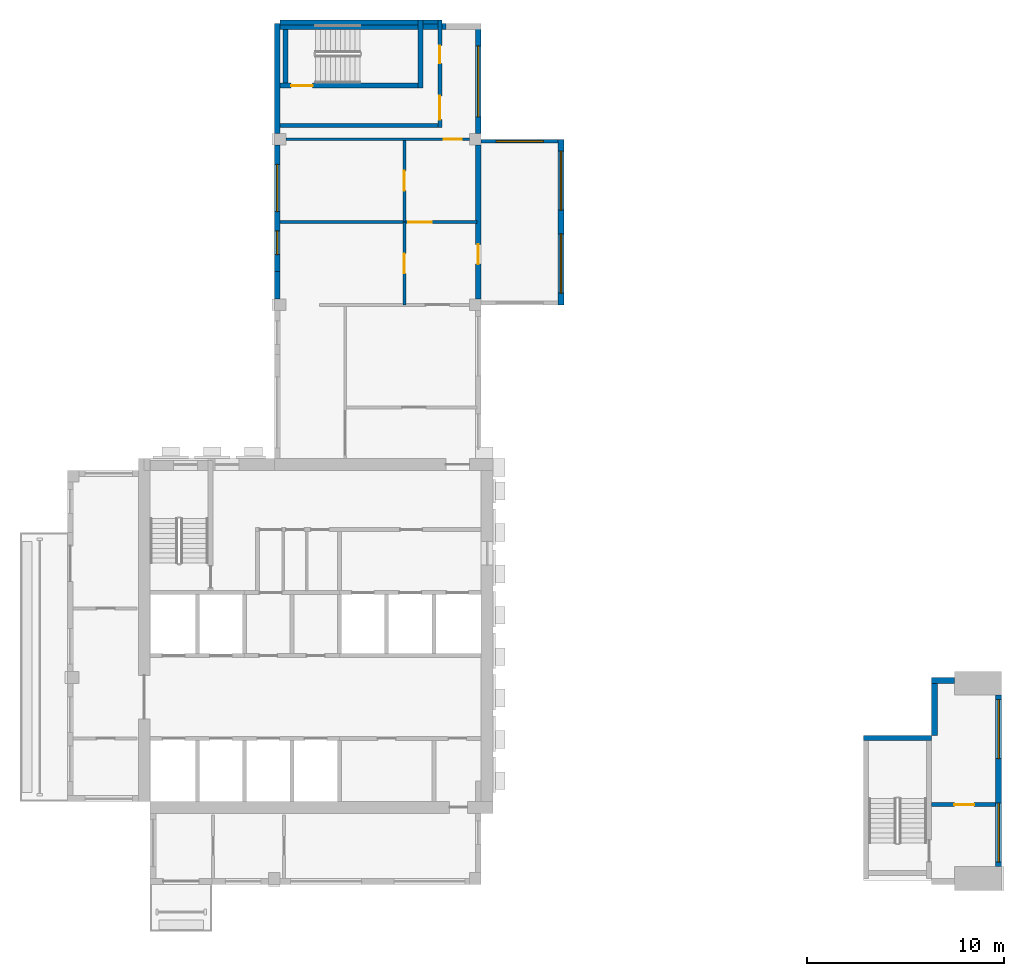
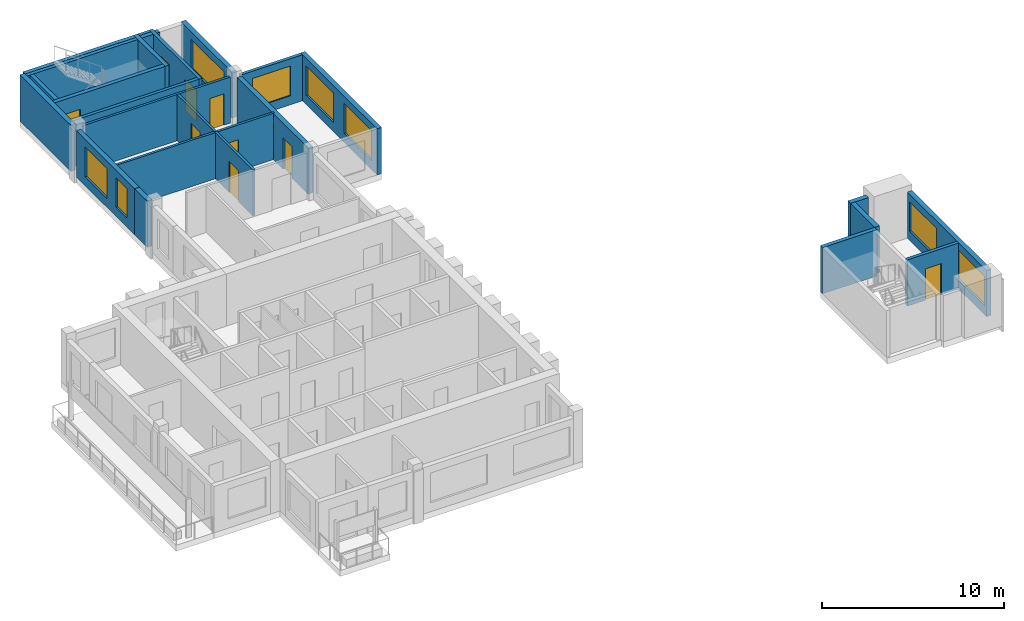
# One storey, part 4 of 9: 24 walls, 9 doors, 8 windows, 17 openings.
"""IFC4 building model written with IfcOpenShell, lengths in metres."""

from ifc_helpers import new_model, si_unit, direction, frame, frame_2d, origin, place, context, subcontext, project, spatial, rectangle, extrude, source, transform, mapped, material, layer, layer_set, type_object, element, fill, save


model = new_model("IFC4")

# Units and contexts
model_context = context("Model", 3, precision=1e-05, world=origin(), true_north=direction((0.0, 1.0)))
body_context = subcontext(model_context, "Body", "Model", "MODEL_VIEW")
ifc_project = project(units=[si_unit("LENGTHUNIT", "METRE"), si_unit("AREAUNIT", "SQUARE_METRE"), si_unit("VOLUMEUNIT", "CUBIC_METRE"), si_unit("PLANEANGLEUNIT", "RADIAN"), si_unit("MASSUNIT", "GRAM", prefix="KILO")], contexts=[model_context])

# Site, building, storey
site_placement = place(None, origin())
site = spatial("IfcSite", under=ifc_project, at=site_placement, CompositionType="ELEMENT")
building_placement = place(site_placement, origin())
building = spatial("IfcBuilding", under=site, at=building_placement, Name="Aurelian Terraces", CompositionType="ELEMENT")
storey_placement = place(building_placement, frame((0.0, 0.0, 340.5)))
storey = spatial("IfcBuildingStorey", under=building, at=storey_placement, Name="L80", CompositionType="ELEMENT", Elevation=340.5)

# Wall, opening, door
ifc_material_1 = material(Name="Gypsum board on steel studs", Category="steel")
ifc_layer_1 = layer(ifc_material_1, 0.2)
ifc_layer_set_1 = layer_set([ifc_layer_1], Name="Core partition 200")
wall_type_1 = type_object("IfcWallType", Name="Core partition 200", PredefinedType="PARTITIONING", material=ifc_layer_set_1)
wall_1_placement = place(storey_placement, frame((43.85, 4.05, 0.0), z_axis=(0.0, 0.0, 1.0), x_axis=(1.0, 0.0, 0.0)))
wall_1 = element("IfcWall", 1, at=wall_1_placement, inside=storey, type_object=wall_type_1, Name="L80 core wall ST-BLK-PY", PredefinedType="PARTITIONING", context=body_context, shape_type="SweptSolid", body=[
    extrude(rectangle(XDim=3.25, YDim=0.2, at=frame_2d((1.625, 0.0))), origin(), (0.0, 0.0, 1.0), 3.1),
])
shared_shape_1 = source(origin(), body_context, "Body", "SweptSolid", [
    extrude(rectangle(XDim=1.0, YDim=2.1, at=frame_2d((0.5, 1.05))), frame((0.0, 0.11, 0.0), z_axis=(0.0, -1.0, 0.0), x_axis=(1.0, 0.0, 0.0)), (0.0, 0.0, 1.0), 0.22),
])
opening_1_placement = place(wall_1_placement, frame((1.15, 0.0, 0.0)))
opening_1 = element("IfcOpeningElement", 2, at=opening_1_placement, cuts=wall_1, Name="Opening 68323", PredefinedType="OPENING", context=body_context, shape_type="MappedRepresentation", body=[
    mapped(shared_shape_1, transform((0.0, 0.0, 0.0), scale=1.0)),
])
ifc_material_2 = material(Name="Steel door leaf", Category="steel")
door_type_1 = type_object("IfcDoorType", Name="Core service door 1000x2100", OperationType="SINGLE_SWING_LEFT", PredefinedType="DOOR", material=ifc_material_2)
shared_shape_2 = source(origin(), body_context, "Body", "SweptSolid", [
    extrude(rectangle(XDim=1.0, YDim=2.1, at=frame_2d((0.5, 1.05))), frame((0.0, 0.025, 0.0), z_axis=(0.0, -1.0, 0.0), x_axis=(1.0, 0.0, 0.0)), (0.0, 0.0, 1.0), 0.05),
])
door_1_placement = place(opening_1_placement, origin())
door_1 = element("IfcDoor", 3, at=door_1_placement, inside=storey, type_object=door_type_1, Name="Room door 68323", OperationType="SINGLE_SWING_LEFT", OverallHeight=2.1, OverallWidth=1.0, PredefinedType="DOOR", context=body_context, shape_type="MappedRepresentation", body=[
    mapped(shared_shape_2, transform((0.0, 0.0, 0.0), scale=1.0)),
])
fill(opening_1, door_1)

# Wall, openings, windows
ifc_material_3 = material(Name="Terracotta rainscreen cladding", Category="masonry")
ifc_layer_2 = layer(ifc_material_3, 0.3)
ifc_layer_set_2 = layer_set([ifc_layer_2], Name="EW-300")
wall_type_2 = type_object("IfcWallType", Name="EW-300", PredefinedType="STANDARD", material=ifc_layer_set_2)
wall_2_placement = place(storey_placement, frame((10.65, 37.5, 0.0), z_axis=(0.0, 0.0, 1.0), x_axis=(0.0, -1.0, 0.0)))
wall_2 = element("IfcWall", 4, at=wall_2_placement, inside=storey, type_object=wall_type_2, Name="External wall L80 F04.11", PredefinedType="STANDARD", context=body_context, shape_type="SweptSolid", body=[
    extrude(rectangle(XDim=6.42, YDim=0.3, at=frame_2d((3.21, 0.0))), origin(), (0.0, 0.0, 1.0), 3.1),
])
shared_shape_3 = source(origin(), body_context, "Body", "SweptSolid", [
    extrude(rectangle(XDim=1.2, YDim=2.0, at=frame_2d((0.6, 1.0))), frame((0.0, 0.16, 0.0), z_axis=(0.0, -1.0, 0.0), x_axis=(1.0, 0.0, 0.0)), (0.0, 0.0, 1.0), 0.32),
])
opening_2_placement = place(wall_2_placement, frame((4.3475, 0.0, 0.6)))
opening_2 = element("IfcOpeningElement", 5, at=opening_2_placement, cuts=wall_2, Name="Opening W1220", PredefinedType="OPENING", context=body_context, shape_type="MappedRepresentation", body=[
    mapped(shared_shape_3, transform((0.0, 0.0, 0.0), scale=1.0)),
])
shared_shape_4 = source(origin(), body_context, "Body", "SweptSolid", [
    extrude(rectangle(XDim=2.4, YDim=2.0, at=frame_2d((1.2, 1.0))), frame((0.0, 0.16, 0.0), z_axis=(0.0, -1.0, 0.0), x_axis=(1.0, 0.0, 0.0)), (0.0, 0.0, 1.0), 0.32),
])
opening_3_placement = place(wall_2_placement, frame((0.9737, 0.0, 0.6)))
opening_3 = element("IfcOpeningElement", 6, at=opening_3_placement, cuts=wall_2, Name="Opening W2420", PredefinedType="OPENING", context=body_context, shape_type="MappedRepresentation", body=[
    mapped(shared_shape_4, transform((0.0, 0.0, 0.0), scale=1.0)),
])
ifc_material_4 = material(Name="Clear glazing", Category="glass")
window_type_1 = type_object("IfcWindowType", Name="W-1200x2000", PartitioningType="SINGLE_PANEL", PredefinedType="WINDOW", material=ifc_material_4)
shared_shape_5 = source(origin(), body_context, "Body", "SweptSolid", [
    extrude(rectangle(XDim=1.2, YDim=2.0, at=frame_2d((0.6, 1.0))), frame((0.0, 0.03, 0.0), z_axis=(0.0, -1.0, 0.0), x_axis=(1.0, 0.0, 0.0)), (0.0, 0.0, 1.0), 0.06),
])
window_1_placement = place(opening_2_placement, origin())
window_1 = element("IfcWindow", 7, at=window_1_placement, inside=storey, type_object=window_type_1, Name="Window L80 L80-F04-11-2", OverallHeight=2.0, OverallWidth=1.2, PartitioningType="SINGLE_PANEL", PredefinedType="WINDOW", context=body_context, shape_type="MappedRepresentation", body=[
    mapped(shared_shape_5, transform((0.0, 0.0, 0.0), scale=1.0)),
])
fill(opening_2, window_1)
window_type_2 = type_object("IfcWindowType", Name="W-2400x2000", PartitioningType="SINGLE_PANEL", PredefinedType="WINDOW", material=ifc_material_4)
shared_shape_6 = source(origin(), body_context, "Body", "SweptSolid", [
    extrude(rectangle(XDim=2.4, YDim=2.0, at=frame_2d((1.2, 1.0))), frame((0.0, 0.03, 0.0), z_axis=(0.0, -1.0, 0.0), x_axis=(1.0, 0.0, 0.0)), (0.0, 0.0, 1.0), 0.06),
])
window_2_placement = place(opening_3_placement, origin())
window_2 = element("IfcWindow", 8, at=window_2_placement, inside=storey, type_object=window_type_2, Name="Window L80 L80-F04-11-G1-62", OverallHeight=2.0, OverallWidth=2.4, PartitioningType="SINGLE_PANEL", PredefinedType="WINDOW", context=body_context, shape_type="MappedRepresentation", body=[
    mapped(shared_shape_6, transform((0.0, 0.0, 0.0), scale=1.0)),
])
fill(opening_3, window_2)

# Wall
wall_3_placement = place(storey_placement, frame((10.65, 31.08, 0.0), z_axis=(0.0, 0.0, 1.0), x_axis=(0.0, -1.0, 0.0)))
element("IfcWall", 9, at=wall_3_placement, inside=storey, type_object=wall_type_2, Name="External wall L80 F04.12", PredefinedType="STANDARD", context=body_context, shape_type="SweptSolid", body=[
    extrude(rectangle(XDim=1.38, YDim=0.3, at=frame_2d((0.69, 0.0))), origin(), (0.0, 0.0, 1.0), 3.1),
])

# Wall, opening, window
ifc_material_5 = material(Name="Concrete fc' 40 MPa", Category="concrete")
ifc_layer_3 = layer(ifc_material_5, 0.2)
ifc_layer_set_3 = layer_set([ifc_layer_3], Name="BOX BEARING WALL 200")
wall_type_3 = type_object("IfcWallType", Name="BOX BEARING WALL 200", PredefinedType="SOLIDWALL", material=ifc_layer_set_3)
shared_shape_7 = source(origin(), body_context, "Body", "SweptSolid", [
    extrude(rectangle(XDim=3.9, YDim=0.2, at=frame_2d((1.95, 0.0))), origin(), (0.0, 0.0, 1.0), 3.09),
])
wall_4_placement = place(storey_placement, frame((21.0, 37.7, 0.0), z_axis=(0.0, 0.0, 1.0), x_axis=(1.0, 0.0, 0.0)))
wall_4 = element("IfcWall", 10, at=wall_4_placement, inside=storey, type_object=wall_type_3, Name="Box return L80 J94.2", PredefinedType="SOLIDWALL", context=body_context, shape_type="MappedRepresentation", body=[
    mapped(shared_shape_7, transform((0.0, 0.0, 0.0), scale=1.0)),
])
shared_shape_8 = source(origin(), body_context, "Body", "SweptSolid", [
    extrude(rectangle(XDim=2.4, YDim=2.0, at=frame_2d((1.2, 1.0))), frame((0.0, 0.11, 0.0), z_axis=(0.0, -1.0, 0.0), x_axis=(1.0, 0.0, 0.0)), (0.0, 0.0, 1.0), 0.22),
])
opening_4_placement = place(wall_4_placement, frame((0.75, 0.0, 0.6)))
opening_4 = element("IfcOpeningElement", 11, at=opening_4_placement, cuts=wall_4, Name="Opening W2420", PredefinedType="OPENING", context=body_context, shape_type="MappedRepresentation", body=[
    mapped(shared_shape_8, transform((0.0, 0.0, 0.0), scale=1.0)),
])
window_3_placement = place(opening_4_placement, origin())
window_3 = element("IfcWindow", 12, at=window_3_placement, inside=storey, type_object=window_type_2, Name="Window L80 J94-S2", OverallHeight=2.0, OverallWidth=2.4, PartitioningType="SINGLE_PANEL", PredefinedType="WINDOW", context=body_context, shape_type="MappedRepresentation", body=[
    mapped(shared_shape_6, transform((0.0, 0.0, 0.0), scale=1.0)),
])
fill(opening_4, window_3)

# Wall
ifc_layer_4 = layer(ifc_material_5, 0.3)
ifc_layer_set_4 = layer_set([ifc_layer_4], Name="STAIR BAY WALL 300")
wall_type_4 = type_object("IfcWallType", Name="STAIR BAY WALL 300", PredefinedType="SOLIDWALL", material=ifc_layer_set_4)
shared_shape_9 = source(origin(), body_context, "Body", "SweptSolid", [
    extrude(rectangle(XDim=8.6, YDim=0.3, at=frame_2d((4.3, 0.0))), origin(), (0.0, 0.0, 1.0), 3.1),
])
wall_5_placement = place(storey_placement, frame((19.2, 43.53, 0.0), z_axis=(0.0, 0.0, 1.0), x_axis=(-1.0, 0.0, 0.0)))
element("IfcWall", 13, at=wall_5_placement, inside=storey, type_object=wall_type_4, Name="Stair bay wall L80 F03.10", PredefinedType="SOLIDWALL", context=body_context, shape_type="MappedRepresentation", body=[
    mapped(shared_shape_9, transform((0.0, 0.0, 0.0), scale=1.0)),
])

# Wall, opening, door
shared_shape_10 = source(origin(), body_context, "Body", "SweptSolid", [
    extrude(rectangle(XDim=7.8, YDim=0.3, at=frame_2d((3.9, 0.0))), origin(), (0.0, 0.0, 1.0), 3.1),
])
wall_6_placement = place(storey_placement, frame((20.85, 29.7, 0.0), z_axis=(0.0, 0.0, 1.0), x_axis=(0.0, 1.0, 0.0)))
wall_6 = element("IfcWall", 14, at=wall_6_placement, inside=storey, type_object=wall_type_2, Name="External wall L80 F02.8", PredefinedType="STANDARD", context=body_context, shape_type="MappedRepresentation", body=[
    mapped(shared_shape_10, transform((0.0, 0.0, 0.0), scale=1.0)),
])
shared_shape_11 = source(origin(), body_context, "Body", "SweptSolid", [
    extrude(rectangle(XDim=1.0, YDim=2.1, at=frame_2d((0.5, 1.05))), frame((0.0, 0.16, 0.0), z_axis=(0.0, -1.0, 0.0), x_axis=(1.0, 0.0, 0.0)), (0.0, 0.0, 1.0), 0.32),
])
opening_5_placement = place(wall_6_placement, frame((1.7667, 0.0, 0.0)))
opening_5 = element("IfcOpeningElement", 15, at=opening_5_placement, cuts=wall_6, Name="Opening 880001", PredefinedType="OPENING", context=body_context, shape_type="MappedRepresentation", body=[
    mapped(shared_shape_11, transform((0.0, 0.0, 0.0), scale=1.0)),
])
ifc_material_6 = material(Name="Timber door leaf", Category="wood")
door_type_2 = type_object("IfcDoorType", Name="Room door 1000x2100 left", OperationType="SINGLE_SWING_LEFT", PredefinedType="DOOR", material=ifc_material_6)
door_2_placement = place(opening_5_placement, origin())
door_2 = element("IfcDoor", 16, at=door_2_placement, inside=storey, type_object=door_type_2, Name="Door 880001", OperationType="SINGLE_SWING_LEFT", OverallHeight=2.1, OverallWidth=1.0, PredefinedType="DOOR", context=body_context, shape_type="MappedRepresentation", body=[
    mapped(shared_shape_2, transform((0.0, 0.0, 0.0), scale=1.0)),
])
fill(opening_5, door_2)

# Wall, opening, window
shared_shape_12 = source(origin(), body_context, "Body", "SweptSolid", [
    extrude(rectangle(XDim=5.58, YDim=0.3, at=frame_2d((2.79, 0.0))), origin(), (0.0, 0.0, 1.0), 3.1),
])
wall_7_placement = place(storey_placement, frame((20.85, 38.1, 0.0), z_axis=(0.0, 0.0, 1.0), x_axis=(0.0, 1.0, 0.0)))
wall_7 = element("IfcWall", 17, at=wall_7_placement, inside=storey, type_object=wall_type_2, Name="External wall L80 F02.9", PredefinedType="STANDARD", context=body_context, shape_type="MappedRepresentation", body=[
    mapped(shared_shape_12, transform((0.0, 0.0, 0.0), scale=1.0)),
])
shared_shape_13 = source(origin(), body_context, "Body", "SweptSolid", [
    extrude(rectangle(XDim=3.6, YDim=2.0, at=frame_2d((1.8, 1.0))), frame((0.0, 0.16, 0.0), z_axis=(0.0, -1.0, 0.0), x_axis=(1.0, 0.0, 0.0)), (0.0, 0.0, 1.0), 0.32),
])
opening_6_placement = place(wall_7_placement, frame((0.84, 0.0, 0.6)))
opening_6 = element("IfcOpeningElement", 18, at=opening_6_placement, cuts=wall_7, Name="Opening W3620", PredefinedType="OPENING", context=body_context, shape_type="MappedRepresentation", body=[
    mapped(shared_shape_13, transform((0.0, 0.0, 0.0), scale=1.0)),
])
window_type_3 = type_object("IfcWindowType", Name="W-3600x2000", PartitioningType="SINGLE_PANEL", PredefinedType="WINDOW", material=ifc_material_4)
shared_shape_14 = source(origin(), body_context, "Body", "SweptSolid", [
    extrude(rectangle(XDim=3.6, YDim=2.0, at=frame_2d((1.8, 1.0))), frame((0.0, 0.03, 0.0), z_axis=(0.0, -1.0, 0.0), x_axis=(1.0, 0.0, 0.0)), (0.0, 0.0, 1.0), 0.06),
])
window_4_placement = place(opening_6_placement, origin())
window_4 = element("IfcWindow", 19, at=window_4_placement, inside=storey, type_object=window_type_3, Name="Window L80 L80-F02-09-0", OverallHeight=2.0, OverallWidth=3.6, PartitioningType="SINGLE_PANEL", PredefinedType="WINDOW", context=body_context, shape_type="MappedRepresentation", body=[
    mapped(shared_shape_14, transform((0.0, 0.0, 0.0), scale=1.0)),
])
fill(opening_6, window_4)

# Wall
shared_shape_15 = source(origin(), body_context, "Body", "SweptSolid", [
    extrude(rectangle(XDim=5.58, YDim=0.3, at=frame_2d((2.79, 0.0))), origin(), (0.0, 0.0, 1.0), 3.1),
])
wall_8_placement = place(storey_placement, frame((10.65, 43.68, 0.0), z_axis=(0.0, 0.0, 1.0), x_axis=(0.0, -1.0, 0.0)))
element("IfcWall", 20, at=wall_8_placement, inside=storey, type_object=wall_type_4, Name="Stair bay wall L80 F04.11", PredefinedType="SOLIDWALL", context=body_context, shape_type="MappedRepresentation", body=[
    mapped(shared_shape_15, transform((0.0, 0.0, 0.0), scale=1.0)),
])

# Wall, openings, windows
ifc_layer_5 = layer(ifc_material_5, 0.3)
ifc_layer_set_5 = layer_set([ifc_layer_5], Name="BOX BEARING WALL 300")
wall_type_5 = type_object("IfcWallType", Name="BOX BEARING WALL 300", PredefinedType="SOLIDWALL", material=ifc_layer_set_5)
shared_shape_16 = source(origin(), body_context, "Body", "SweptSolid", [
    extrude(rectangle(XDim=8.4, YDim=0.3, at=frame_2d((4.2, 0.0))), origin(), (0.0, 0.0, 1.0), 3.09),
])
wall_9_placement = place(storey_placement, frame((25.05, 29.4, 0.0), z_axis=(0.0, 0.0, 1.0), x_axis=(0.0, 1.0, 0.0)))
wall_9 = element("IfcWall", 21, at=wall_9_placement, inside=storey, type_object=wall_type_5, Name="Box wall L80 J94", PredefinedType="SOLIDWALL", context=body_context, shape_type="MappedRepresentation", body=[
    mapped(shared_shape_16, transform((0.0, 0.0, 0.0), scale=1.0)),
])
shared_shape_17 = source(origin(), body_context, "Body", "SweptSolid", [
    extrude(rectangle(XDim=3.0, YDim=2.0, at=frame_2d((1.5, 1.0))), frame((0.0, 0.16, 0.0), z_axis=(0.0, -1.0, 0.0), x_axis=(1.0, 0.0, 0.0)), (0.0, 0.0, 1.0), 0.32),
])
opening_7_placement = place(wall_9_placement, frame((0.6, 0.0, 0.6)))
opening_7 = element("IfcOpeningElement", 22, at=opening_7_placement, cuts=wall_9, Name="Opening W3020", PredefinedType="OPENING", context=body_context, shape_type="MappedRepresentation", body=[
    mapped(shared_shape_17, transform((0.0, 0.0, 0.0), scale=1.0)),
])
opening_8_placement = place(wall_9_placement, frame((4.8, 0.0, 0.6)))
opening_8 = element("IfcOpeningElement", 23, at=opening_8_placement, cuts=wall_9, Name="Opening W3020", PredefinedType="OPENING", context=body_context, shape_type="MappedRepresentation", body=[
    mapped(shared_shape_17, transform((0.0, 0.0, 0.0), scale=1.0)),
])
window_type_4 = type_object("IfcWindowType", Name="W-3000x2000", PartitioningType="SINGLE_PANEL", PredefinedType="WINDOW", material=ifc_material_4)
shared_shape_18 = source(origin(), body_context, "Body", "SweptSolid", [
    extrude(rectangle(XDim=3.0, YDim=2.0, at=frame_2d((1.5, 1.0))), frame((0.0, 0.03, 0.0), z_axis=(0.0, -1.0, 0.0), x_axis=(1.0, 0.0, 0.0)), (0.0, 0.0, 1.0), 0.06),
])
window_5_placement = place(opening_7_placement, origin())
window_5 = element("IfcWindow", 24, at=window_5_placement, inside=storey, type_object=window_type_4, Name="Window L80 J94-F1", OverallHeight=2.0, OverallWidth=3.0, PartitioningType="SINGLE_PANEL", PredefinedType="WINDOW", context=body_context, shape_type="MappedRepresentation", body=[
    mapped(shared_shape_18, transform((0.0, 0.0, 0.0), scale=1.0)),
])
fill(opening_7, window_5)
window_6_placement = place(opening_8_placement, origin())
window_6 = element("IfcWindow", 25, at=window_6_placement, inside=storey, type_object=window_type_4, Name="Window L80 J94-F2", OverallHeight=2.0, OverallWidth=3.0, PartitioningType="SINGLE_PANEL", PredefinedType="WINDOW", context=body_context, shape_type="MappedRepresentation", body=[
    mapped(shared_shape_18, transform((0.0, 0.0, 0.0), scale=1.0)),
])
fill(opening_8, window_6)

shared_shape_19 = source(origin(), body_context, "Body", "SweptSolid", [
    extrude(rectangle(XDim=8.7, YDim=0.3, at=frame_2d((4.35, 0.0))), origin(), (0.0, 0.0, 1.0), 3.1),
])
wall_10_placement = place(storey_placement, frame((47.25, 0.9, 0.0), z_axis=(0.0, 0.0, 1.0), x_axis=(0.0, 1.0, 0.0)))
wall_10 = element("IfcWall", 26, at=wall_10_placement, inside=storey, type_object=wall_type_2, Name="External wall L80 F14.25", PredefinedType="STANDARD", context=body_context, shape_type="MappedRepresentation", body=[
    mapped(shared_shape_19, transform((0.0, 0.0, 0.0), scale=1.0)),
])
opening_9_placement = place(wall_10_placement, frame((0.225, 0.0, 0.6)))
opening_9 = element("IfcOpeningElement", 27, at=opening_9_placement, cuts=wall_10, Name="Opening W3020", PredefinedType="OPENING", context=body_context, shape_type="MappedRepresentation", body=[
    mapped(shared_shape_17, transform((0.0, 0.0, 0.0), scale=1.0)),
])
opening_10_placement = place(wall_10_placement, frame((5.475, 0.0, 0.6)))
opening_10 = element("IfcOpeningElement", 28, at=opening_10_placement, cuts=wall_10, Name="Opening W3020", PredefinedType="OPENING", context=body_context, shape_type="MappedRepresentation", body=[
    mapped(shared_shape_17, transform((0.0, 0.0, 0.0), scale=1.0)),
])
window_7_placement = place(opening_9_placement, origin())
window_7 = element("IfcWindow", 29, at=window_7_placement, inside=storey, type_object=window_type_4, Name="Window L80 L80-F14-25-0", OverallHeight=2.0, OverallWidth=3.0, PartitioningType="SINGLE_PANEL", PredefinedType="WINDOW", context=body_context, shape_type="MappedRepresentation", body=[
    mapped(shared_shape_18, transform((0.0, 0.0, 0.0), scale=1.0)),
])
fill(opening_9, window_7)
window_8_placement = place(opening_10_placement, origin())
window_8 = element("IfcWindow", 30, at=window_8_placement, inside=storey, type_object=window_type_4, Name="Window L80 L80-F14-25-1", OverallHeight=2.0, OverallWidth=3.0, PartitioningType="SINGLE_PANEL", PredefinedType="WINDOW", context=body_context, shape_type="MappedRepresentation", body=[
    mapped(shared_shape_18, transform((0.0, 0.0, 0.0), scale=1.0)),
])
fill(opening_10, window_8)

# Walls
shared_shape_20 = source(origin(), body_context, "Body", "SweptSolid", [
    extrude(rectangle(XDim=1.15, YDim=0.3, at=frame_2d((0.575, 0.0))), origin(), (0.0, 0.0, 1.0), 3.1),
])
wall_11_placement = place(storey_placement, frame((45.0, 10.35, 0.0), z_axis=(0.0, 0.0, 1.0), x_axis=(-1.0, 0.0, 0.0)))
element("IfcWall", 31, at=wall_11_placement, inside=storey, type_object=wall_type_2, Name="External wall L80 F15.26", PredefinedType="STANDARD", context=body_context, shape_type="MappedRepresentation", body=[
    mapped(shared_shape_20, transform((0.0, 0.0, 0.0), scale=1.0)),
])
shared_shape_21 = source(origin(), body_context, "Body", "SweptSolid", [
    extrude(rectangle(XDim=2.95, YDim=0.3, at=frame_2d((1.475, 0.0))), origin(), (0.0, 0.0, 1.0), 3.1),
])
wall_12_placement = place(storey_placement, frame((44.0, 10.5, 0.0), z_axis=(0.0, 0.0, 1.0), x_axis=(0.0, -1.0, 0.0)))
element("IfcWall", 32, at=wall_12_placement, inside=storey, type_object=wall_type_2, Name="External wall L80 F16.27", PredefinedType="STANDARD", context=body_context, shape_type="MappedRepresentation", body=[
    mapped(shared_shape_21, transform((0.0, 0.0, 0.0), scale=1.0)),
])

# Wall, opening, door
ifc_layer_6 = layer(ifc_material_5, 0.25)
ifc_layer_set_6 = layer_set([ifc_layer_6], Name="Stair enclosure wall 250")
wall_type_6 = type_object("IfcWallType", Name="Stair enclosure wall 250", PredefinedType="SOLIDWALL", material=ifc_layer_set_6)
shared_shape_22 = source(origin(), body_context, "Body", "SweptSolid", [
    extrude(rectangle(XDim=7.0, YDim=0.25, at=frame_2d((3.5, 0.0))), origin(), (0.0, 0.0, 1.0), 3.1),
])
wall_13_placement = place(storey_placement, frame((10.8, 40.525, 0.0), z_axis=(0.0, 0.0, 1.0), x_axis=(1.0, 0.0, 0.0)))
wall_13 = element("IfcWall", 33, at=wall_13_placement, inside=storey, type_object=wall_type_6, Name="L80 core wall ST-S3U-W", PredefinedType="SOLIDWALL", context=body_context, shape_type="MappedRepresentation", body=[
    mapped(shared_shape_22, transform((0.0, 0.0, 0.0), scale=1.0)),
])
shared_shape_23 = source(origin(), body_context, "Body", "SweptSolid", [
    extrude(rectangle(XDim=1.1, YDim=2.1, at=frame_2d((0.55, 1.05))), frame((0.0, 0.135, 0.0), z_axis=(0.0, -1.0, 0.0), x_axis=(1.0, 0.0, 0.0)), (0.0, 0.0, 1.0), 0.27),
])
opening_11_placement = place(wall_13_placement, frame((0.55, 0.0, 0.0)))
opening_11 = element("IfcOpeningElement", 34, at=opening_11_placement, cuts=wall_13, Name="Opening 68320", PredefinedType="OPENING", context=body_context, shape_type="MappedRepresentation", body=[
    mapped(shared_shape_23, transform((0.0, 0.0, 0.0), scale=1.0)),
])
door_type_3 = type_object("IfcDoorType", Name="Core fire door 1100x2100 right", OperationType="SINGLE_SWING_RIGHT", PredefinedType="DOOR", material=ifc_material_2)
shared_shape_24 = source(origin(), body_context, "Body", "SweptSolid", [
    extrude(rectangle(XDim=1.1, YDim=2.1, at=frame_2d((0.55, 1.05))), frame((0.0, 0.025, 0.0), z_axis=(0.0, -1.0, 0.0), x_axis=(1.0, 0.0, 0.0)), (0.0, 0.0, 1.0), 0.05),
])
door_3_placement = place(opening_11_placement, origin())
door_3 = element("IfcDoor", 35, at=door_3_placement, inside=storey, type_object=door_type_3, Name="Stair door 68320", OperationType="SINGLE_SWING_RIGHT", OverallHeight=2.1, OverallWidth=1.1, PredefinedType="DOOR", context=body_context, shape_type="MappedRepresentation", body=[
    mapped(shared_shape_24, transform((0.0, 0.0, 0.0), scale=1.0)),
])
fill(opening_11, door_3)

# Walls
wall_14_placement = place(storey_placement, frame((10.8, 43.725, 0.0), z_axis=(0.0, 0.0, 1.0), x_axis=(1.0, 0.0, 0.0)))
element("IfcWall", 36, at=wall_14_placement, inside=storey, type_object=wall_type_6, Name="L80 core wall ST-S3U-E", PredefinedType="SOLIDWALL", context=body_context, shape_type="MappedRepresentation", body=[
    mapped(shared_shape_22, transform((0.0, 0.0, 0.0), scale=1.0)),
])
shared_shape_25 = source(origin(), body_context, "Body", "SweptSolid", [
    extrude(rectangle(XDim=3.45, YDim=0.25, at=frame_2d((1.725, 0.0))), origin(), (0.0, 0.0, 1.0), 3.1),
])
for number, where, z_axis, x_axis, name in (
    (37, (40.4, 7.425, 0.0), (0.0, 0.0, 1.0), (1.0, 0.0, 0.0), "L80 core wall ST-S2-N"),
    (38, (17.925, 40.4, 0.0), (0.0, 0.0, 1.0), (0.0, 1.0, 0.0), "L80 core wall ST-S3U-N"),
):
    element("IfcWall", number, at=place(storey_placement, frame(where, z_axis=z_axis, x_axis=x_axis)), inside=storey, type_object=wall_type_6, Name=name, PredefinedType="SOLIDWALL", context=body_context, shape_type="MappedRepresentation", body=[
        mapped(shared_shape_25, transform((0.0, 0.0, 0.0), scale=1.0)),
    ])
shared_shape_26 = source(origin(), body_context, "Body", "SweptSolid", [
    extrude(rectangle(XDim=8.0, YDim=0.2, at=frame_2d((4.0, 0.0))), origin(), (0.0, 0.0, 1.0), 3.1),
])
wall_15_placement = place(storey_placement, frame((10.8, 38.5, 0.0), z_axis=(0.0, 0.0, 1.0), x_axis=(1.0, 0.0, 0.0)))
element("IfcWall", 39, at=wall_15_placement, inside=storey, type_object=wall_type_1, Name="L80 core wall ST-S3U-VW", PredefinedType="PARTITIONING", context=body_context, shape_type="MappedRepresentation", body=[
    mapped(shared_shape_26, transform((0.0, 0.0, 0.0), scale=1.0)),
])

# Wall, openings, doors
shared_shape_27 = source(origin(), body_context, "Body", "SweptSolid", [
    extrude(rectangle(XDim=5.45, YDim=0.2, at=frame_2d((2.725, 0.0))), origin(), (0.0, 0.0, 1.0), 3.1),
])
wall_16_placement = place(storey_placement, frame((18.9, 38.4, 0.0), z_axis=(0.0, 0.0, 1.0), x_axis=(0.0, 1.0, 0.0)))
wall_16 = element("IfcWall", 40, at=wall_16_placement, inside=storey, type_object=wall_type_1, Name="L80 core wall ST-S3U-BN", PredefinedType="PARTITIONING", context=body_context, shape_type="MappedRepresentation", body=[
    mapped(shared_shape_27, transform((0.0, 0.0, 0.0), scale=1.0)),
])
shared_shape_28 = source(origin(), body_context, "Body", "SweptSolid", [
    extrude(rectangle(XDim=1.2, YDim=2.1, at=frame_2d((0.6, 1.05))), frame((0.0, 0.11, 0.0), z_axis=(0.0, -1.0, 0.0), x_axis=(1.0, 0.0, 0.0)), (0.0, 0.0, 1.0), 0.22),
])
opening_12_placement = place(wall_16_placement, frame((0.4, 0.0, 0.0)))
opening_12 = element("IfcOpeningElement", 41, at=opening_12_placement, cuts=wall_16, Name="Opening 68321", PredefinedType="OPENING", context=body_context, shape_type="MappedRepresentation", body=[
    mapped(shared_shape_28, transform((0.0, 0.0, 0.0), scale=1.0)),
])
shared_shape_29 = source(origin(), body_context, "Body", "SweptSolid", [
    extrude(rectangle(XDim=0.9, YDim=2.1, at=frame_2d((0.45, 1.05))), frame((0.0, 0.11, 0.0), z_axis=(0.0, -1.0, 0.0), x_axis=(1.0, 0.0, 0.0)), (0.0, 0.0, 1.0), 0.22),
])
opening_13_placement = place(wall_16_placement, frame((3.25, 0.0, 0.0)))
opening_13 = element("IfcOpeningElement", 42, at=opening_13_placement, cuts=wall_16, Name="Opening 68322", PredefinedType="OPENING", context=body_context, shape_type="MappedRepresentation", body=[
    mapped(shared_shape_29, transform((0.0, 0.0, 0.0), scale=1.0)),
])
door_type_4 = type_object("IfcDoorType", Name="Core riser door 900x2100 right", OperationType="SINGLE_SWING_RIGHT", PredefinedType="DOOR", material=ifc_material_2)
shared_shape_30 = source(origin(), body_context, "Body", "SweptSolid", [
    extrude(rectangle(XDim=0.9, YDim=2.1, at=frame_2d((0.45, 1.05))), frame((0.0, 0.025, 0.0), z_axis=(0.0, -1.0, 0.0), x_axis=(1.0, 0.0, 0.0)), (0.0, 0.0, 1.0), 0.05),
])
door_4_placement = place(opening_13_placement, origin())
door_4 = element("IfcDoor", 43, at=door_4_placement, inside=storey, type_object=door_type_4, Name="Riser door 68322", OperationType="SINGLE_SWING_RIGHT", OverallHeight=2.1, OverallWidth=0.9, PredefinedType="DOOR", context=body_context, shape_type="MappedRepresentation", body=[
    mapped(shared_shape_30, transform((0.0, 0.0, 0.0), scale=1.0)),
])
fill(opening_13, door_4)
door_type_5 = type_object("IfcDoorType", Name="Core fire door 1200x2100", OperationType="SINGLE_SWING_LEFT", PredefinedType="DOOR", material=ifc_material_2)
shared_shape_31 = source(origin(), body_context, "Body", "SweptSolid", [
    extrude(rectangle(XDim=1.2, YDim=2.1, at=frame_2d((0.6, 1.05))), frame((0.0, 0.025, 0.0), z_axis=(0.0, -1.0, 0.0), x_axis=(1.0, 0.0, 0.0)), (0.0, 0.0, 1.0), 0.05),
])
door_5_placement = place(opening_12_placement, origin())
door_5 = element("IfcDoor", 44, at=door_5_placement, inside=storey, type_object=door_type_5, Name="Vestibule door 68321", OperationType="SINGLE_SWING_LEFT", OverallHeight=2.1, OverallWidth=1.2, PredefinedType="DOOR", context=body_context, shape_type="MappedRepresentation", body=[
    mapped(shared_shape_31, transform((0.0, 0.0, 0.0), scale=1.0)),
])
fill(opening_12, door_5)

# Walls
shared_shape_32 = source(origin(), body_context, "Body", "SweptSolid", [
    extrude(rectangle(XDim=0.75, YDim=0.2, at=frame_2d((0.375, 0.0))), origin(), (0.0, 0.0, 1.0), 3.1),
])
wall_17_placement = place(storey_placement, frame((18.05, 43.75, 0.0), z_axis=(0.0, 0.0, 1.0), x_axis=(1.0, 0.0, 0.0)))
element("IfcWall", 45, at=wall_17_placement, inside=storey, type_object=wall_type_1, Name="L80 core wall ST-S3U-RE", PredefinedType="PARTITIONING", context=body_context, shape_type="MappedRepresentation", body=[
    mapped(shared_shape_32, transform((0.0, 0.0, 0.0), scale=1.0)),
])
shared_shape_33 = source(origin(), body_context, "Body", "SweptSolid", [
    extrude(rectangle(XDim=2.73, YDim=0.25, at=frame_2d((1.365, 0.0))), origin(), (0.0, 0.0, 1.0), 3.1),
])
wall_18_placement = place(storey_placement, frame((11.075, 40.65, 0.0), z_axis=(0.0, 0.0, 1.0), x_axis=(0.0, 1.0, 0.0)))
element("IfcWall", 46, at=wall_18_placement, inside=storey, type_object=wall_type_6, Name="L80 core wall ST-S3U-SS", PredefinedType="SOLIDWALL", context=body_context, shape_type="MappedRepresentation", body=[
    mapped(shared_shape_33, transform((0.0, 0.0, 0.0), scale=1.0)),
])

# Wall, opening, door
ifc_layer_7 = layer(ifc_material_1, 0.15)
ifc_layer_set_7 = layer_set([ifc_layer_7], Name="Partition 150")
wall_type_7 = type_object("IfcWallType", Name="Partition 150", PredefinedType="PARTITIONING", material=ifc_layer_set_7)
shared_shape_34 = source(origin(), body_context, "Body", "SweptSolid", [
    extrude(rectangle(XDim=9.302, YDim=0.15, at=frame_2d((4.651, 0.0))), origin(), (0.0, 0.0, 1.0), 3.1),
])
wall_19_placement = place(storey_placement, frame((20.401, 37.8, 0.0), z_axis=(0.0, 0.0, 1.0), x_axis=(-1.0, 0.0, 0.0)))
wall_19 = element("IfcWall", 47, at=wall_19_placement, inside=storey, type_object=wall_type_7, Name="Partition", PredefinedType="PARTITIONING", context=body_context, shape_type="MappedRepresentation", body=[
    mapped(shared_shape_34, transform((0.0, 0.0, 0.0), scale=1.0)),
])
shared_shape_35 = source(origin(), body_context, "Body", "SweptSolid", [
    extrude(rectangle(XDim=0.9, YDim=2.1, at=frame_2d((0.45, 1.05))), frame((0.0, 0.085, 0.0), z_axis=(0.0, -1.0, 0.0), x_axis=(1.0, 0.0, 0.0)), (0.0, 0.0, 1.0), 0.17),
])
opening_14_placement = place(wall_19_placement, frame((0.401, 0.0, 0.0)))
opening_14 = element("IfcOpeningElement", 48, at=opening_14_placement, cuts=wall_19, Name="Opening 780011", PredefinedType="OPENING", context=body_context, shape_type="MappedRepresentation", body=[
    mapped(shared_shape_35, transform((0.0, 0.0, 0.0), scale=1.0)),
])
door_type_6 = type_object("IfcDoorType", Name="Room door 900x2100 left", OperationType="SINGLE_SWING_LEFT", PredefinedType="DOOR", material=ifc_material_6)
door_6_placement = place(opening_14_placement, origin())
door_6 = element("IfcDoor", 49, at=door_6_placement, inside=storey, type_object=door_type_6, Name="Door 780011", OperationType="SINGLE_SWING_LEFT", OverallHeight=2.1, OverallWidth=0.9, PredefinedType="DOOR", context=body_context, shape_type="MappedRepresentation", body=[
    mapped(shared_shape_30, transform((0.0, 0.0, 0.0), scale=1.0)),
])
fill(opening_14, door_6)

shared_shape_36 = source(origin(), body_context, "Body", "SweptSolid", [
    extrude(rectangle(XDim=4.2, YDim=0.15, at=frame_2d((2.1, 0.0))), origin(), (0.0, 0.0, 1.0), 3.1),
])
wall_20_placement = place(storey_placement, frame((17.1, 33.6, 0.0), z_axis=(0.0, 0.0, 1.0), x_axis=(0.0, -1.0, 0.0)))
wall_20 = element("IfcWall", 50, at=wall_20_placement, inside=storey, type_object=wall_type_7, Name="Partition", PredefinedType="PARTITIONING", context=body_context, shape_type="MappedRepresentation", body=[
    mapped(shared_shape_36, transform((0.0, 0.0, 0.0), scale=1.0)),
])
shared_shape_37 = source(origin(), body_context, "Body", "SweptSolid", [
    extrude(rectangle(XDim=1.0, YDim=2.1, at=frame_2d((0.5, 1.05))), frame((0.0, 0.085, 0.0), z_axis=(0.0, -1.0, 0.0), x_axis=(1.0, 0.0, 0.0)), (0.0, 0.0, 1.0), 0.17),
])
opening_15_placement = place(wall_20_placement, frame((1.6, 0.0, 0.0)))
opening_15 = element("IfcOpeningElement", 51, at=opening_15_placement, cuts=wall_20, Name="Opening 780006", PredefinedType="OPENING", context=body_context, shape_type="MappedRepresentation", body=[
    mapped(shared_shape_37, transform((0.0, 0.0, 0.0), scale=1.0)),
])
door_7_placement = place(opening_15_placement, origin())
door_7 = element("IfcDoor", 52, at=door_7_placement, inside=storey, type_object=door_type_2, Name="Door 780006", OperationType="SINGLE_SWING_LEFT", OverallHeight=2.1, OverallWidth=1.0, PredefinedType="DOOR", context=body_context, shape_type="MappedRepresentation", body=[
    mapped(shared_shape_2, transform((0.0, 0.0, 0.0), scale=1.0)),
])
fill(opening_15, door_7)

shared_shape_38 = source(origin(), body_context, "Body", "SweptSolid", [
    extrude(rectangle(XDim=4.105, YDim=0.15, at=frame_2d((2.0525, 0.0))), origin(), (0.0, 0.0, 1.0), 3.1),
])
wall_21_placement = place(storey_placement, frame((17.1, 37.725, 0.0), z_axis=(0.0, 0.0, 1.0), x_axis=(0.0, -1.0, 0.0)))
wall_21 = element("IfcWall", 53, at=wall_21_placement, inside=storey, type_object=wall_type_7, Name="Partition", PredefinedType="PARTITIONING", context=body_context, shape_type="MappedRepresentation", body=[
    mapped(shared_shape_38, transform((0.0, 0.0, 0.0), scale=1.0)),
])
opening_16_placement = place(wall_21_placement, frame((1.525, 0.0, 0.0)))
opening_16 = element("IfcOpeningElement", 54, at=opening_16_placement, cuts=wall_21, Name="Opening 780007", PredefinedType="OPENING", context=body_context, shape_type="MappedRepresentation", body=[
    mapped(shared_shape_37, transform((0.0, 0.0, 0.0), scale=1.0)),
])
door_type_7 = type_object("IfcDoorType", Name="Room door 1000x2100 right", OperationType="SINGLE_SWING_RIGHT", PredefinedType="DOOR", material=ifc_material_6)
door_8_placement = place(opening_16_placement, origin())
door_8 = element("IfcDoor", 55, at=door_8_placement, inside=storey, type_object=door_type_7, Name="Door 780007", OperationType="SINGLE_SWING_RIGHT", OverallHeight=2.1, OverallWidth=1.0, PredefinedType="DOOR", context=body_context, shape_type="MappedRepresentation", body=[
    mapped(shared_shape_2, transform((0.0, 0.0, 0.0), scale=1.0)),
])
fill(opening_16, door_8)

shared_shape_39 = source(origin(), body_context, "Body", "SweptSolid", [
    extrude(rectangle(XDim=9.995, YDim=0.15, at=frame_2d((4.9975, 0.0))), origin(), (0.0, 0.0, 1.0), 3.1),
])
wall_22_placement = place(storey_placement, frame((10.8, 33.6, 0.0), z_axis=(0.0, 0.0, 1.0), x_axis=(1.0, 0.0, 0.0)))
wall_22 = element("IfcWall", 56, at=wall_22_placement, inside=storey, type_object=wall_type_7, Name="Partition", PredefinedType="PARTITIONING", context=body_context, shape_type="MappedRepresentation", body=[
    mapped(shared_shape_39, transform((0.0, 0.0, 0.0), scale=1.0)),
])
shared_shape_40 = source(origin(), body_context, "Body", "SweptSolid", [
    extrude(rectangle(XDim=1.2, YDim=2.1, at=frame_2d((0.6, 1.05))), frame((0.0, 0.085, 0.0), z_axis=(0.0, -1.0, 0.0), x_axis=(1.0, 0.0, 0.0)), (0.0, 0.0, 1.0), 0.17),
])
opening_17_placement = place(wall_22_placement, frame((6.5, 0.0, 0.0)))
opening_17 = element("IfcOpeningElement", 57, at=opening_17_placement, cuts=wall_22, Name="Opening 780009", PredefinedType="OPENING", context=body_context, shape_type="MappedRepresentation", body=[
    mapped(shared_shape_40, transform((0.0, 0.0, 0.0), scale=1.0)),
])
door_type_8 = type_object("IfcDoorType", Name="Room door 1200x2100 left", OperationType="SINGLE_SWING_LEFT", PredefinedType="DOOR", material=ifc_material_6)
door_9_placement = place(opening_17_placement, origin())
door_9 = element("IfcDoor", 58, at=door_9_placement, inside=storey, type_object=door_type_8, Name="Door 780009", OperationType="SINGLE_SWING_LEFT", OverallHeight=2.1, OverallWidth=1.2, PredefinedType="DOOR", context=body_context, shape_type="MappedRepresentation", body=[
    mapped(shared_shape_31, transform((0.0, 0.0, 0.0), scale=1.0)),
])
fill(opening_17, door_9)

save(model, "model.ifc")
